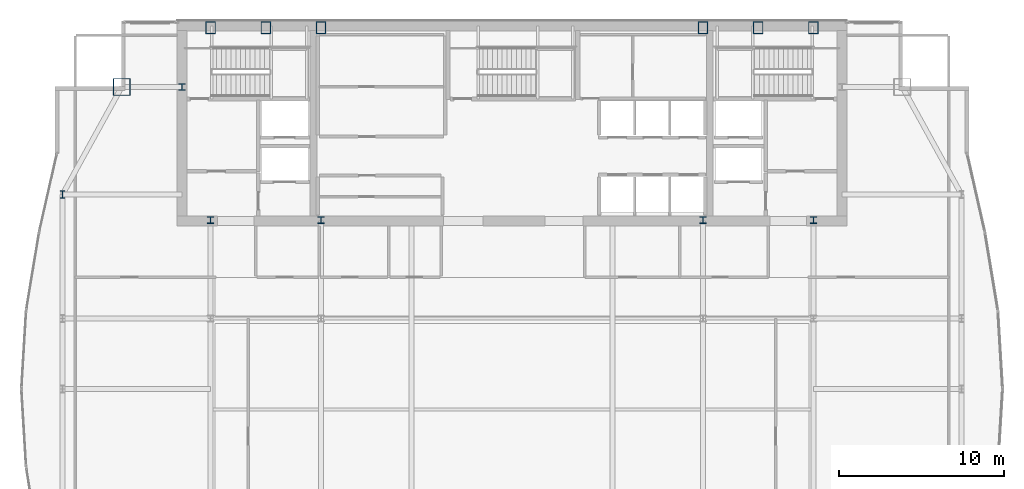
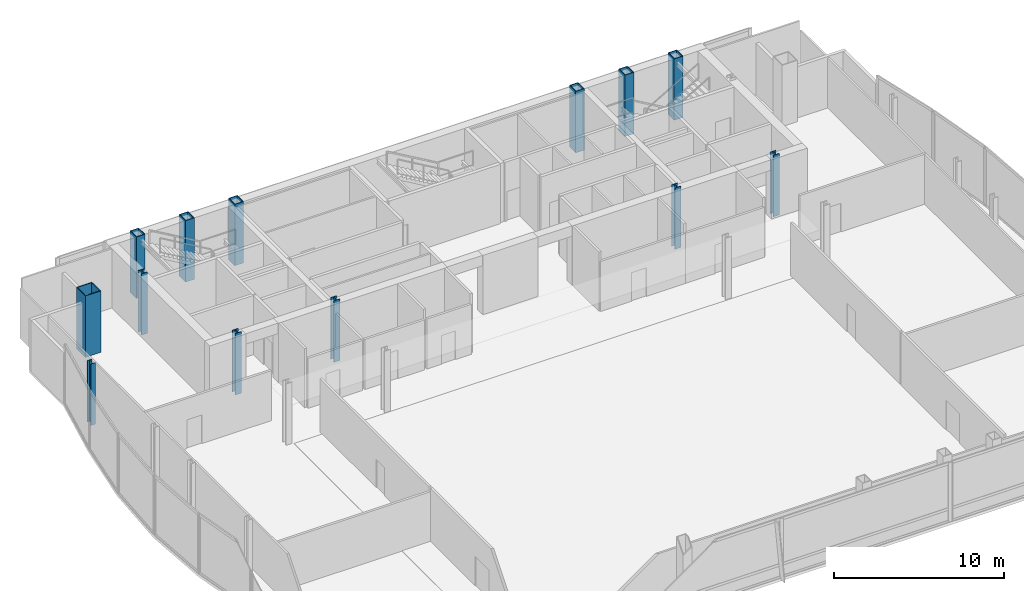
# One storey, part 3 of 28: 13 columns.
"""IFC4 building model written with IfcOpenShell, lengths in metres."""

from ifc_helpers import new_model, si_unit, direction, frame, origin, origin_2d, place, context, subcontext, project, spatial, hollow_rectangle, i_section, extrude, material, material_profile, profile_set, type_object, element, save


model = new_model("IFC4")

# Units and contexts
model_context = context("Model", 3, precision=1e-05, world=origin(), true_north=direction((0.0, 1.0)))
body_context = subcontext(model_context, "Body", "Model", "MODEL_VIEW")
ifc_project = project(units=[si_unit("LENGTHUNIT", "METRE"), si_unit("AREAUNIT", "SQUARE_METRE"), si_unit("VOLUMEUNIT", "CUBIC_METRE"), si_unit("PLANEANGLEUNIT", "RADIAN"), si_unit("MASSUNIT", "GRAM", prefix="KILO")], contexts=[model_context])

# Site, building, storey
site_placement = place(None, origin())
site = spatial("IfcSite", under=ifc_project, at=site_placement, CompositionType="ELEMENT")
building_placement = place(site_placement, origin())
building = spatial("IfcBuilding", under=site, at=building_placement, Name="Khoronbel Lancet Exchange", CompositionType="ELEMENT")
storey_placement = place(building_placement, frame((0.0, 0.0, 265.39990234375)))
storey = spatial("IfcBuildingStorey", under=building, at=storey_placement, Name="L68", CompositionType="ELEMENT", Elevation=265.39990234375)

# Columns
ifc_material_1 = material(Name="Steel S460", Category="steel")
ifc_material_profile_1 = material_profile(ifc_material_1, hollow_rectangle(XDim=0.60009765625, YDim=0.75, WallThickness=0.044921875, at=origin_2d()), Name="BOX 750x600x45")
ifc_profile_set_1 = profile_set([ifc_material_profile_1], Name="Steel S460")
column_type_1 = type_object("IfcColumnType", Name="COL-EC3", PredefinedType="COLUMN", material=ifc_profile_set_1)
for number, where, z_axis, x_axis, name in (
    (1, (18.22509765625, 53.280029296875, 0.0), (0.0, 0.0, 1.0), (1.0, 0.0, 0.0), "Structural column NC-W1 L68"),
    (2, (21.5625, 53.280029296875, 0.0), (0.0, 0.0, 1.0), (1.0, 0.0, 0.0), "Structural column NC-WM L68"),
    (3, (24.89990234375, 53.280029296875, 0.0), (0.0, 0.0, 1.0), (1.0, 0.0, 0.0), "Structural column NC-W2 L68"),
    (4, (48.0, 53.280029296875, 0.0), (0.0, 0.0, 1.0), (1.0, 0.0, 0.0), "Structural column NC-E1 L68"),
    (5, (51.33740234375, 53.280029296875, 0.0), (0.0, 0.0, 1.0), (1.0, 0.0, 0.0), "Structural column NC-EM L68"),
    (6, (54.675048828125, 53.280029296875, 0.0), (0.0, 0.0, 1.0), (1.0, 0.0, 0.0), "Structural column NC-E2 L68"),
):
    element("IfcColumn", number, at=place(storey_placement, frame(where, z_axis=z_axis, x_axis=x_axis)), inside=storey, type_object=column_type_1, Name=name, PredefinedType="COLUMN", context=body_context, shape_type="SweptSolid", body=[
        extrude(hollow_rectangle(XDim=0.60009765625, YDim=0.75, WallThickness=0.044921875, at=origin_2d()), origin(), (0.0, 0.0, 1.0), 4.400146484375),
    ])
ifc_material_2 = material(Name="Steel S355", Category="steel")
ifc_material_profile_2 = material_profile(ifc_material_2, i_section(OverallWidth=0.406005859375, OverallDepth=0.416015625, WebThickness=0.02978515625, FlangeThickness=0.048095703125, at=origin_2d()), Name="HD 400x382")
ifc_profile_set_2 = profile_set([ifc_material_profile_2], Name="Steel S355")
column_type_2 = type_object("IfcColumnType", Name="COL-IC3", PredefinedType="COLUMN", material=ifc_profile_set_2)
for number, where, z_axis, x_axis, name in (
    (7, (16.5, 49.699951171875, 0.0), (0.0, 0.0, 1.0), (1.0, 0.0, 0.0), "Core-flank plumb transfer column CFW L68"),
    (8, (18.22509765625, 41.64990234375, 0.0), (0.0, 0.0, 1.0), (1.0, 0.0, 0.0), "Core-embedded steel column CTC1 L68"),
    (9, (24.89990234375, 41.64990234375, 0.0), (0.0, 0.0, 1.0), (1.0, 0.0, 0.0), "Core-embedded steel column CTC2 L68"),
    (10, (48.0, 41.64990234375, 0.0), (0.0, 0.0, 1.0), (1.0, 0.0, 0.0), "Core-embedded steel column CTC3 L68"),
    (11, (54.675048828125, 41.64990234375, 0.0), (0.0, 0.0, 1.0), (1.0, 0.0, 0.0), "Core-embedded steel column CTC4 L68"),
):
    element("IfcColumn", number, at=place(storey_placement, frame(where, z_axis=z_axis, x_axis=x_axis)), inside=storey, type_object=column_type_2, Name=name, PredefinedType="COLUMN", context=body_context, shape_type="SweptSolid", body=[
        extrude(i_section(OverallWidth=0.406005859375, OverallDepth=0.416015625, WebThickness=0.02978515625, FlangeThickness=0.048095703125, at=origin_2d()), origin(), (0.0, 0.0, 1.0), 4.400146484375),
    ])
ifc_material_profile_3 = material_profile(ifc_material_2, i_section(OverallWidth=0.300048828125, OverallDepth=0.449951171875, WebThickness=0.013916015625, FlangeThickness=0.02587890625, at=origin_2d()), Name="HEB 450")
ifc_profile_set_3 = profile_set([ifc_material_profile_3], Name="Steel S355")
column_type_3 = type_object("IfcColumnType", Name="COL-LC2", PredefinedType="COLUMN", material=ifc_profile_set_3)
column_1_placement = place(storey_placement, frame((9.27001953125, 43.199951171875, 0.0), z_axis=(0.0, 0.0, 1.0), x_axis=(1.0, 0.0, 0.0)))
element("IfcColumn", 12, at=column_1_placement, inside=storey, type_object=column_type_3, Name="Structural column WC-4 L68", PredefinedType="COLUMN", context=body_context, shape_type="SweptSolid", body=[
    extrude(i_section(OverallWidth=0.300048828125, OverallDepth=0.449951171875, WebThickness=0.013916015625, FlangeThickness=0.02587890625, at=origin_2d()), origin(), (0.0, 0.0, 1.0), 4.400146484375),
])
ifc_material_profile_4 = material_profile(ifc_material_1, hollow_rectangle(XDim=1.050048828125, YDim=1.050048828125, WallThickness=0.054931640625, at=origin_2d()), Name="BOX 1050x1050x55")
ifc_profile_set_4 = profile_set([ifc_material_profile_4], Name="Steel S460")
column_type_4 = type_object("IfcColumnType", Name="COL-MC6", PredefinedType="COLUMN", material=ifc_profile_set_4)
column_2_placement = place(storey_placement, frame((12.85009765625, 49.699951171875, 0.0), z_axis=(0.0, 0.0, 1.0), x_axis=(1.0, 0.0, 0.0)))
element("IfcColumn", 13, at=column_2_placement, inside=storey, type_object=column_type_4, Name="Structural column MC-NW L68", PredefinedType="COLUMN", context=body_context, shape_type="SweptSolid", body=[
    extrude(hollow_rectangle(XDim=1.050048828125, YDim=1.050048828125, WallThickness=0.054931640625, at=origin_2d()), origin(), (0.0, 0.0, 1.0), 4.400146484375),
])

save(model, "model.ifc")
